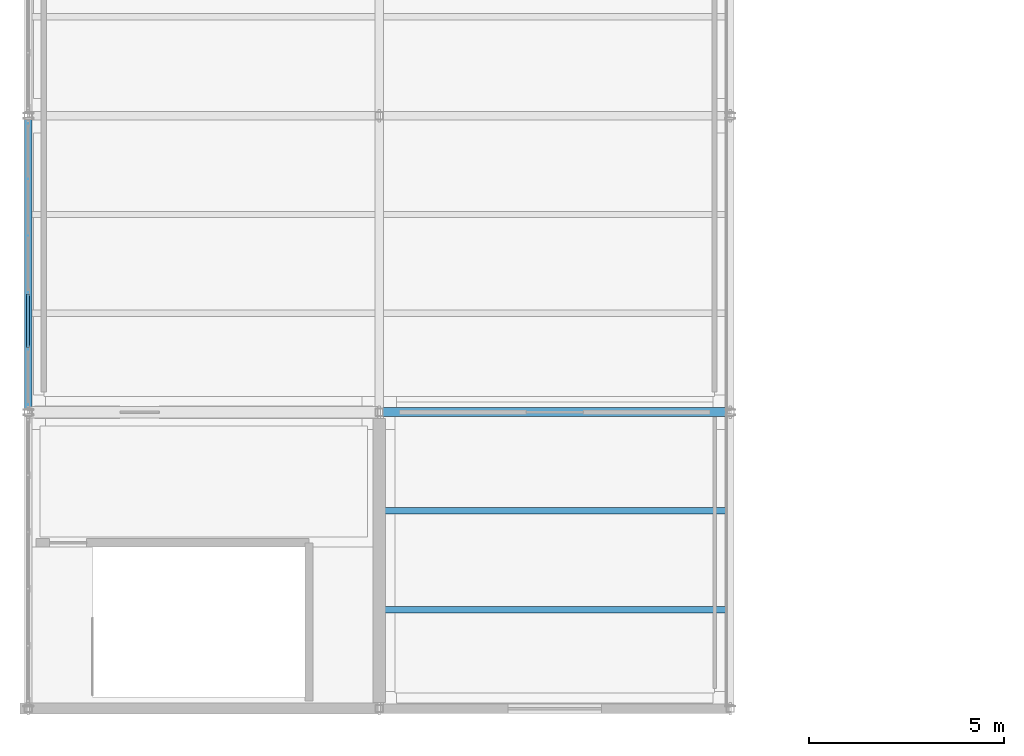
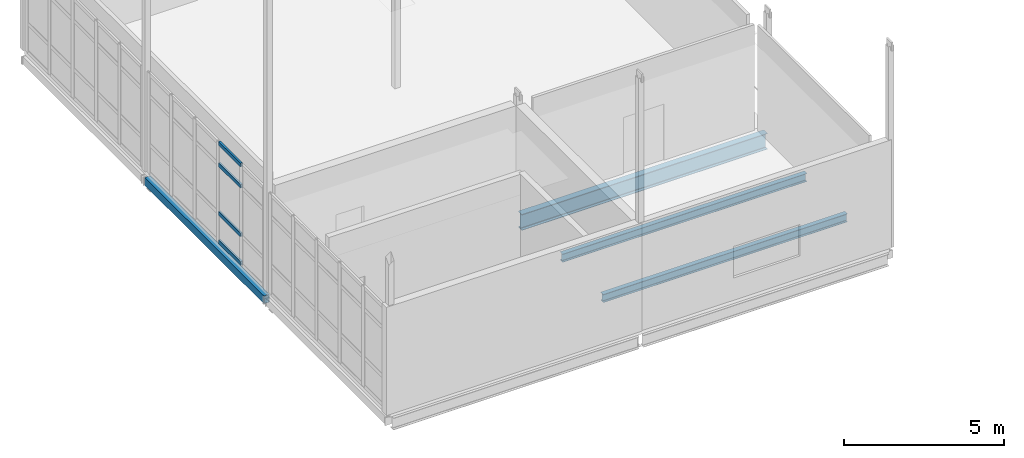
# One storey, part 19 of 96: 4 beams, 4 members, 1 element without a shape of its own.
"""IFC4 building model written with IfcOpenShell, lengths in metres."""

from ifc_helpers import new_model, si_unit, direction, frame, origin, origin_2d, place, context, subcontext, project, spatial, hollow_rectangle, i_section, extrude, material, material_profile, profile_set, type_object, element, aggregate, save


model = new_model("IFC4")

# Units and contexts
model_context = context("Model", 3, precision=1e-05, world=origin(), true_north=direction((0.0, 1.0)))
body_context = subcontext(model_context, "Body", "Model", "MODEL_VIEW")
ifc_project = project(units=[si_unit("LENGTHUNIT", "METRE"), si_unit("AREAUNIT", "SQUARE_METRE"), si_unit("VOLUMEUNIT", "CUBIC_METRE"), si_unit("PLANEANGLEUNIT", "RADIAN"), si_unit("MASSUNIT", "GRAM", prefix="KILO")], contexts=[model_context])

# Site, building, storey
site_placement = place(None, origin())
site = spatial("IfcSite", under=ifc_project, at=site_placement, CompositionType="ELEMENT")
building_placement = place(site_placement, origin())
building = spatial("IfcBuilding", under=site, at=building_placement, Name="Caisbarro Railhouse Central Library", CompositionType="ELEMENT")
storey_placement = place(building_placement, frame((0.0, 0.0, 13.679931640625)))
storey = spatial("IfcBuildingStorey", under=building, at=storey_placement, Name="L03", CompositionType="ELEMENT", Elevation=13.679931640625)

# Beams
ifc_material_1 = material(Name="Steel ASTM A572 Grade 50", Category="steel")
ifc_material_profile_1 = material_profile(ifc_material_1, i_section(OverallWidth=0.22802734375, OverallDepth=0.60791015625, WebThickness=0.01123046875, FlangeThickness=0.017333984375, FilletRadius=0.02197265625, at=origin_2d()), Name="W610X113.0")
ifc_profile_set_1 = profile_set([ifc_material_profile_1], Name="Steel ASTM A572 Grade 50")
beam_type_1 = type_object("IfcBeamType", Name="BM-G04", PredefinedType="BEAM", material=ifc_profile_set_1)
beam_1_placement = place(storey_placement, frame((9.080078125, 38.0, -0.52392578125), z_axis=(1.0, 0.0, 0.0), x_axis=(0.0, 1.0, 0.0)))
element("IfcBeam", 1, at=beam_1_placement, inside=storey, type_object=beam_type_1, Name="G04 beam L03 #1831", PredefinedType="BEAM", context=body_context, shape_type="SweptSolid", body=[
    extrude(i_section(OverallWidth=0.22802734375, OverallDepth=0.60791015625, WebThickness=0.01123046875, FlangeThickness=0.017333984375, FilletRadius=0.02197265625, at=origin_2d()), origin(), (0.0, 0.0, 1.0), 8.83984375),
])
ifc_material_profile_2 = material_profile(ifc_material_1, i_section(OverallWidth=0.1650390625, OverallDepth=0.31005859375, WebThickness=0.005859375, FlangeThickness=0.009765625, FilletRadius=0.011962890625, at=origin_2d()), Name="W310X38.7")
ifc_profile_set_2 = profile_set([ifc_material_profile_2], Name="Steel ASTM A572 Grade 50")
beam_type_2 = type_object("IfcBeamType", Name="BM-J03", PredefinedType="JOIST", material=ifc_profile_set_2)
for number, where, z_axis, x_axis, name in (
    (2, (9.1044921875, 32.933349609375, -0.375), (1.0, 0.0, 0.0), (0.0, 1.0, 0.0), "J03 beam L03 #1849"),
    (3, (9.1044921875, 35.466796875, -0.375), (1.0, 0.0, 0.0), (0.0, 1.0, 0.0), "J03 beam L03 #1850"),
):
    element("IfcBeam", number, at=place(storey_placement, frame(where, z_axis=z_axis, x_axis=x_axis)), inside=storey, type_object=beam_type_2, Name=name, PredefinedType="JOIST", context=body_context, shape_type="SweptSolid", body=[
        extrude(i_section(OverallWidth=0.1650390625, OverallDepth=0.31005859375, WebThickness=0.005859375, FlangeThickness=0.009765625, FilletRadius=0.011962890625, at=origin_2d()), origin(), (0.0, 0.0, 1.0), 8.79541015625),
    ])
ifc_material_profile_3 = material_profile(ifc_material_1, hollow_rectangle(XDim=0.199951171875, YDim=0.300048828125, WallThickness=0.012451171875, at=origin_2d()), Name="HSS300X200X12.5")
ifc_profile_set_3 = profile_set([ifc_material_profile_3], Name="Steel ASTM A572 Grade 50")
beam_type_3 = type_object("IfcBeamType", Name="BM-SP02", PredefinedType="SPANDREL", material=ifc_profile_set_3)
beam_2_placement = place(storey_placement, frame((0.0, 38.080078125, -0.369873046875), z_axis=(0.0, 1.0, 0.0), x_axis=(-1.0, 0.0, 0.0)))
element("IfcBeam", 4, at=beam_2_placement, inside=storey, type_object=beam_type_3, Name="SP02 beam L03 #1837", PredefinedType="SPANDREL", context=body_context, shape_type="SweptSolid", body=[
    extrude(hollow_rectangle(XDim=0.199951171875, YDim=0.300048828125, WallThickness=0.012451171875, at=origin_2d()), origin(), (0.0, 0.0, 1.0), 7.43994140625),
])

# Curtain wall, members
ifc_material_2 = material(Name="Anodised architectural aluminium", Category="aluminium")
curtain_wall_type = type_object("IfcCurtainWallType", Name="CW-CW02", PredefinedType="NOTDEFINED", material=ifc_material_2)
curtain_wall_placement = place(storey_placement, origin())
curtain_wall = element("IfcCurtainWall", 5, at=curtain_wall_placement, inside=storey, type_object=curtain_wall_type, Name="CW02 curtain wall L03 #49", PredefinedType="NOTDEFINED")
ifc_material_profile_4 = material_profile(ifc_material_2, hollow_rectangle(XDim=0.074951171875, YDim=0.139892578125, WallThickness=0.00390625, at=origin_2d()), Name="ALU-TRN-75X140")
ifc_profile_set_4 = profile_set([ifc_material_profile_4], Name="Anodised architectural aluminium")
member_type = type_object("IfcMemberType", Name="CWT-T01", PredefinedType="USERDEFINED", material=ifc_profile_set_4)
member_1_placement = place(storey_placement, frame((0.0, 39.653564453125, 0.03759765625), z_axis=(0.0, 1.0, 0.0), x_axis=(-1.0, 0.0, 0.0)))
member_1 = element("IfcMember", 6, at=member_1_placement, type_object=member_type, Name="CW02 transom 2.1", ObjectType="TRANSOM", PredefinedType="USERDEFINED", context=body_context, shape_type="SweptSolid", body=[
    extrude(hollow_rectangle(XDim=0.074951171875, YDim=0.139892578125, WallThickness=0.00390625, at=origin_2d()), origin(), (0.0, 0.0, 1.0), 1.380859375),
])
member_2_placement = place(storey_placement, frame((0.0, 39.653564453125, 1.1201171875), z_axis=(0.0, 1.0, 0.0), x_axis=(-1.0, 0.0, 0.0)))
member_2 = element("IfcMember", 7, at=member_2_placement, type_object=member_type, Name="CW02 transom 2.2", ObjectType="TRANSOM", PredefinedType="USERDEFINED", context=body_context, shape_type="SweptSolid", body=[
    extrude(hollow_rectangle(XDim=0.074951171875, YDim=0.139892578125, WallThickness=0.00390625, at=origin_2d()), origin(), (0.0, 0.0, 1.0), 1.380859375),
])
member_3_placement = place(storey_placement, frame((0.0, 39.653564453125, 2.969970703125), z_axis=(0.0, 1.0, 0.0), x_axis=(-1.0, 0.0, 0.0)))
member_3 = element("IfcMember", 8, at=member_3_placement, type_object=member_type, Name="CW02 transom 2.3", ObjectType="TRANSOM", PredefinedType="USERDEFINED", context=body_context, shape_type="SweptSolid", body=[
    extrude(hollow_rectangle(XDim=0.074951171875, YDim=0.139892578125, WallThickness=0.00390625, at=origin_2d()), origin(), (0.0, 0.0, 1.0), 1.380859375),
])
member_4_placement = place(storey_placement, frame((0.0, 39.653564453125, 3.782470703125), z_axis=(0.0, 1.0, 0.0), x_axis=(-1.0, 0.0, 0.0)))
member_4 = element("IfcMember", 9, at=member_4_placement, type_object=member_type, Name="CW02 transom 2.4", ObjectType="TRANSOM", PredefinedType="USERDEFINED", context=body_context, shape_type="SweptSolid", body=[
    extrude(hollow_rectangle(XDim=0.074951171875, YDim=0.139892578125, WallThickness=0.00390625, at=origin_2d()), origin(), (0.0, 0.0, 1.0), 1.380859375),
])
aggregate(curtain_wall, [member_1, member_2, member_3, member_4])

save(model, "model.ifc")
